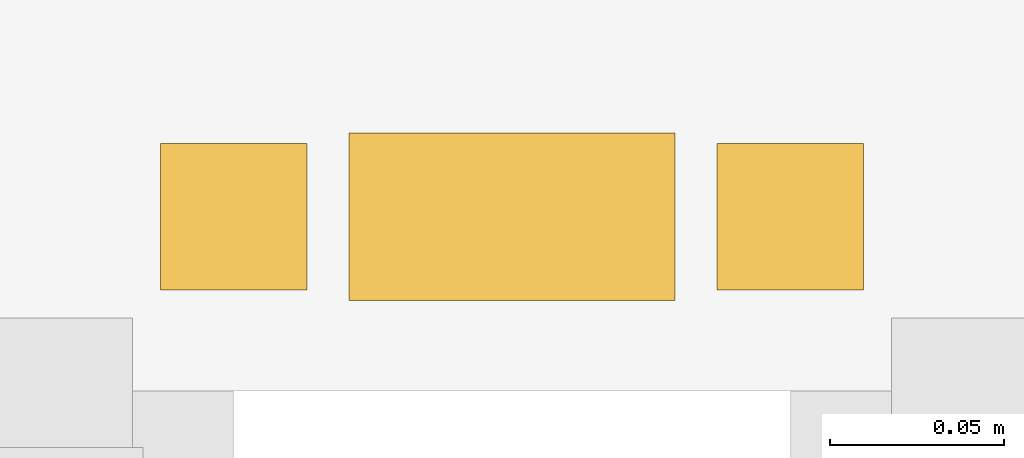
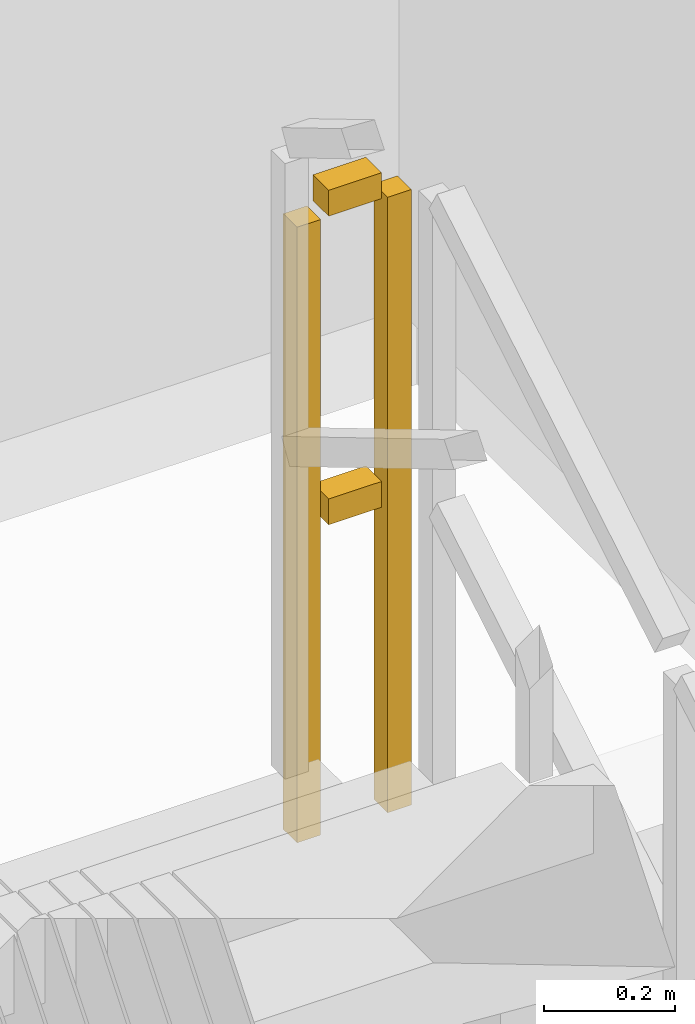
# One storey, part 26 of 26: 1 railing.
"""IFC4 building model written with IfcOpenShell, lengths in metres."""

import ifcopenshell
import ifcopenshell.guid

model = None  # the IFC model being written
_history = None  # IfcOwnerHistory: only IFC2X3 demands one
_inside = {}  # id of a spatial element -> (the spatial element, [elements in it])
_under = {}  # id of a project, library or spatial element -> (it, [spatial elements below it])
_declared = {}  # id of a project -> (the project, [libraries it declares])
_typed = {}  # id of a type object -> (the type object, [elements of that type])
_made_of = {}  # id of a material, layer set ... -> (it, [elements and type objects made of it])


def new_model(schema):
    """Start an empty IFC model of exactly this schema.

    Asked for "IFC4X3", IfcOpenShell would pick the latest addendum, in which some entities
    have other attributes; the version numbers below select the first issue.
    IFC2X3 requires an IfcOwnerHistory on every rooted entity: one is made here for all.
    """
    global model, _history
    if schema == "IFC4X3":
        model = ifcopenshell.file(schema_version=(4, 3, 0, 0))
    else:
        model = ifcopenshell.file(schema=schema)
    _inside.clear()
    _under.clear()
    _declared.clear()
    _typed.clear()
    _made_of.clear()
    _history = None
    if model.schema == "IFC2X3":
        org = make("IfcOrganization", Name="unknown")
        user = make(
            "IfcPersonAndOrganization",
            ThePerson=make("IfcPerson", FamilyName="unknown"),
            TheOrganization=org,
        )
        app = make(
            "IfcApplication",
            ApplicationDeveloper=org,
            Version="unknown",
            ApplicationFullName="unknown",
            ApplicationIdentifier="unknown",
        )
        _history = make(
            "IfcOwnerHistory",
            OwningUser=user,
            OwningApplication=app,
            ChangeAction="ADDED",
            CreationDate=0,
        )
    return model


def make(cls, **values):
    """One entity of the class cls with the attributes given. An attribute that is None is left unset."""
    return model.create_entity(
        cls, **{name: value for name, value in values.items() if value is not None}
    )


def rooted(cls, **values):
    """An entity with a GlobalId (a new one), such as an element, a storey or a relation."""
    return make(cls, GlobalId=ifcopenshell.guid.new(), OwnerHistory=_history, **values)


def si_unit(unit_type, name, prefix=None):
    """IfcSIUnit, for example si_unit("LENGTHUNIT", "METRE", prefix="MILLI")."""
    return make("IfcSIUnit", UnitType=unit_type, Prefix=prefix, Name=name)


def assignment(units):
    """IfcUnitAssignment: the units of a project."""
    return None if units is None else make("IfcUnitAssignment", Units=units)


def point(xyz):
    """IfcCartesianPoint."""
    return None if xyz is None else make("IfcCartesianPoint", Coordinates=xyz)


def direction(xyz):
    """IfcDirection."""
    return None if xyz is None else make("IfcDirection", DirectionRatios=xyz)


def frame(location, z_axis=None, x_axis=None):
    """IfcAxis2Placement3D, a coordinate frame: its origin and axes. An axis left out is left unset."""
    return make(
        "IfcAxis2Placement3D",
        Location=point(location),
        Axis=direction(z_axis),
        RefDirection=direction(x_axis),
    )


def frame_2d(location, x_axis=None):
    """IfcAxis2Placement2D, a coordinate frame in the plane: its origin and x axis."""
    return make(
        "IfcAxis2Placement2D", Location=point(location), RefDirection=direction(x_axis)
    )


def origin():
    """The frame at (0, 0, 0) with its axes left unset."""
    return frame((0.0, 0.0, 0.0))


def origin_2d():
    """The frame at (0, 0) in the plane with its x axis left unset."""
    return frame_2d((0.0, 0.0))


def place(relative_to, where):
    """IfcLocalPlacement: puts the frame where relative to a parent placement (None: the world)."""
    return make(
        "IfcLocalPlacement", PlacementRelTo=relative_to, RelativePlacement=where
    )


def context(
    kind, dimensions, precision=None, world=None, true_north=None, identifier=None
):
    """IfcGeometricRepresentationContext, for example the 3D "Model" context."""
    return make(
        "IfcGeometricRepresentationContext",
        ContextIdentifier=identifier,
        ContextType=kind,
        CoordinateSpaceDimension=dimensions,
        Precision=precision,
        WorldCoordinateSystem=world,
        TrueNorth=true_north,
    )


def subcontext(parent, identifier, kind, view, scale=None):
    """IfcGeometricRepresentationSubContext, for example "Body" below "Model"."""
    return make(
        "IfcGeometricRepresentationSubContext",
        ContextIdentifier=identifier,
        ContextType=kind,
        ParentContext=parent,
        TargetScale=scale,
        TargetView=view,
    )


def project(units=None, contexts=None):
    """IfcProject with its units and contexts."""
    return rooted(
        "IfcProject",
        Name="project",
        RepresentationContexts=contexts,
        UnitsInContext=assignment(units),
    )


def spatial(cls, under=None, at=None, **own):
    """A site, building, storey or space (cls), placed at a placement, below another one or the project."""
    s = rooted(cls, ObjectPlacement=at, **own)
    if under is not None:
        _under.setdefault(under.id(), (under, []))[1].append(s)
    return s


def profile(cls, at=None, kind="AREA", **sizes):
    """A parametric profile (cls). Its sizes go by their IFC names, for example OverallWidth=200.0."""
    return make(cls, ProfileType=kind, Position=at, **sizes)


def rectangle(**sizes):
    """IfcRectangleProfileDef."""
    return profile("IfcRectangleProfileDef", **sizes)


def extrude(swept, where, along, depth):
    """IfcExtrudedAreaSolid: the profile swept, set in the frame where, extruded along a direction by depth."""
    return make(
        "IfcExtrudedAreaSolid",
        SweptArea=swept,
        Position=where,
        ExtrudedDirection=direction(along),
        Depth=depth,
    )


def shape(context_of_items, identifier, shape_type, items):
    """IfcShapeRepresentation: the items that make up one representation, for example the "Body"."""
    return make(
        "IfcShapeRepresentation",
        ContextOfItems=context_of_items,
        RepresentationIdentifier=identifier,
        RepresentationType=shape_type,
        Items=items,
    )


def material(Name=None, Category=None):
    """IfcMaterial."""
    return make("IfcMaterial", Name=Name, Category=Category)


def made_of(thing, what):
    """Note that an element or type object is made of a material, layer set ...; save() writes the relation."""
    if what is not None:
        _made_of.setdefault(what.id(), (what, []))[1].append(thing)
    return thing


def type_object(cls, material=None, **own):
    """A type object (cls), such as IfcWallType, which elements share."""
    return made_of(rooted(cls, **own), material)


def element(
    cls,
    number,
    at=None,
    inside=None,
    cuts=None,
    type_object=None,
    material=None,
    context=None,
    identifier="Body",
    shape_type=None,
    held_by="IfcProductDefinitionShape",
    body=None,
    shapes=None,
    **own,
):
    """One element of the class cls, such as IfcWall. Its Tag is "e" and its number.

    at: its placement. inside: the storey or other place that contains it. cuts: it is an
    opening in that element (IfcRelVoidsElement). A single representation is given by context,
    identifier, shape_type and body (its items); several are given by shapes. held_by: the class
    of the entity that holds the representations. save() writes the other relations.
    """
    e = rooted(cls, Tag="e%d" % number, ObjectPlacement=at, **own)
    if body is not None:
        shapes = [shape(context, identifier, shape_type, body)]
    if shapes is not None:
        e.Representation = make(held_by, Representations=shapes)
    if inside is not None:
        _inside.setdefault(inside.id(), (inside, []))[1].append(e)
    if cuts is not None:
        rooted(
            "IfcRelVoidsElement", RelatingBuildingElement=cuts, RelatedOpeningElement=e
        )
    if type_object is not None:
        _typed.setdefault(type_object.id(), (type_object, []))[1].append(e)
    return made_of(e, material)


def aggregate(whole, parts):
    """IfcRelAggregates: a whole, such as a stair, and the parts it consists of."""
    return rooted("IfcRelAggregates", RelatingObject=whole, RelatedObjects=parts)


def save(model, path):
    """Write the relations noted so far, then the file.

    IfcRelAggregates (storeys below a building ...), IfcRelContainedInSpatialStructure (elements
    in a storey), IfcRelDefinesByType, IfcRelAssociatesMaterial and IfcRelDeclares: one each for
    every whole, place, type object, material and project.
    """
    for whole, parts in _under.values():
        aggregate(whole, parts)
    for where, things in _inside.values():
        rooted(
            "IfcRelContainedInSpatialStructure",
            RelatedElements=things,
            RelatingStructure=where,
        )
    for kind, things in _typed.values():
        rooted("IfcRelDefinesByType", RelatedObjects=things, RelatingType=kind)
    for what, things in _made_of.values():
        rooted("IfcRelAssociatesMaterial", RelatedObjects=things, RelatingMaterial=what)
    for by, libraries in _declared.values():
        rooted("IfcRelDeclares", RelatingContext=by, RelatedDefinitions=libraries)
    model.write(path)


model = new_model("IFC4")

# Units and contexts
model_context = context("Model", 3, precision=1e-05, world=origin(), true_north=direction((0.0, 1.0)))
body_context = subcontext(model_context, "Body", "Model", "MODEL_VIEW")
ifc_project = project(units=[si_unit("LENGTHUNIT", "METRE"), si_unit("AREAUNIT", "SQUARE_METRE"), si_unit("VOLUMEUNIT", "CUBIC_METRE"), si_unit("PLANEANGLEUNIT", "RADIAN"), si_unit("MASSUNIT", "GRAM", prefix="KILO")], contexts=[model_context])

# Site, building, storey
site_placement = place(None, origin())
site = spatial("IfcSite", under=ifc_project, at=site_placement, CompositionType="ELEMENT")
building_placement = place(site_placement, origin())
building = spatial("IfcBuilding", under=site, at=building_placement, Name="Saelheon Loggia Tower", CompositionType="ELEMENT")
storey_placement = place(building_placement, frame((0.0, 0.0, 116.85009765625)))
storey = spatial("IfcBuildingStorey", under=building, at=storey_placement, Name="L37", CompositionType="ELEMENT", Elevation=116.85009765625)

# Railing
ifc_material = material(Name="Galvanised Steel S275 Stairwell Guardrail", Category="steel")
railing_type = type_object("IfcRailingType", Name="Guard_StairWell_RL_STG", PredefinedType="GUARDRAIL", material=ifc_material)
railing_placement = place(storey_placement, frame((42.489990234375, 32.739990234375, 1.5)))
element("IfcRailing", 1, at=railing_placement, inside=storey, type_object=railing_type, Name="L37 ST2 stair guard 2", PredefinedType="GUARDRAIL", context=body_context, shape_type="SweptSolid", body=[
    extrude(rectangle(XDim=0.048095703125, YDim=0.048095703125, at=origin_2d()), frame((-0.033203125, 0.0, 1.17578125), z_axis=(-1.0, 0.0, 0.0), x_axis=(0.0, -1.0, 0.0)), (0.0, 0.0, 1.0), 0.093505859375),
    extrude(rectangle(XDim=0.048095703125, YDim=0.048095703125, at=origin_2d()), frame((-0.033203125, 0.0, 0.60009765625), z_axis=(-1.0, 0.0, 0.0), x_axis=(0.0, -1.0, 0.0)), (0.0, 0.0, 1.0), 0.093505859375),
    extrude(rectangle(XDim=0.0419921875, YDim=0.0419921875, at=origin_2d()), origin(), (0.0, 0.0, 1.0), 1.14794921875),
    extrude(rectangle(XDim=0.0419921875, YDim=0.0419921875, at=origin_2d()), frame((-0.159912109375, 0.0, 0.0)), (0.0, 0.0, 1.0), 1.14794921875),
])

save(model, "model.ifc")
